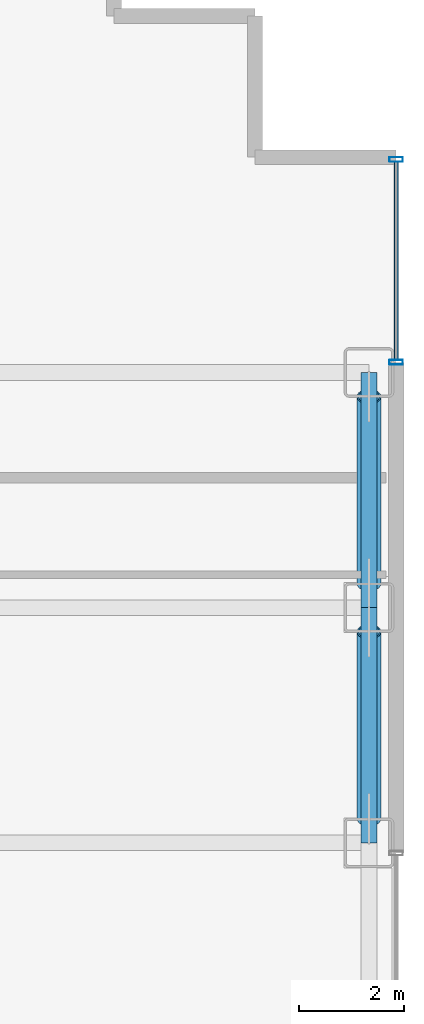
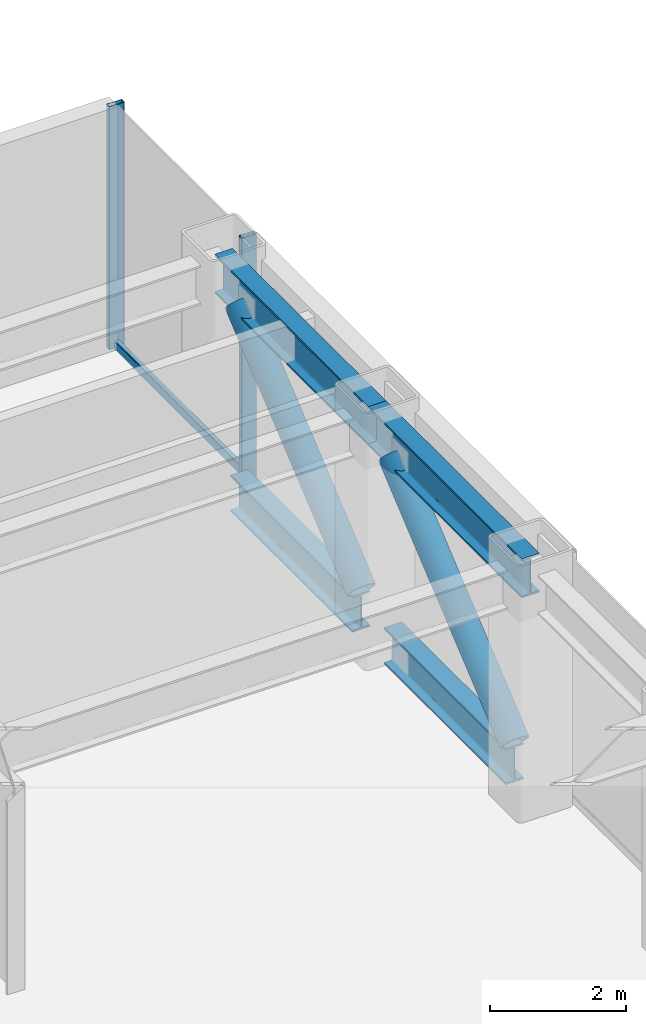
# One storey, part 20 of 30: 7 members, 2 beams, 1 element without a shape of its own.
"""IFC4 building model written with IfcOpenShell, lengths in metres."""

import ifcopenshell
import ifcopenshell.guid

model = None  # the IFC model being written
_history = None  # IfcOwnerHistory: only IFC2X3 demands one
_inside = {}  # id of a spatial element -> (the spatial element, [elements in it])
_under = {}  # id of a project, library or spatial element -> (it, [spatial elements below it])
_declared = {}  # id of a project -> (the project, [libraries it declares])
_typed = {}  # id of a type object -> (the type object, [elements of that type])
_made_of = {}  # id of a material, layer set ... -> (it, [elements and type objects made of it])


def new_model(schema):
    """Start an empty IFC model of exactly this schema.

    Asked for "IFC4X3", IfcOpenShell would pick the latest addendum, in which some entities
    have other attributes; the version numbers below select the first issue.
    IFC2X3 requires an IfcOwnerHistory on every rooted entity: one is made here for all.
    """
    global model, _history
    if schema == "IFC4X3":
        model = ifcopenshell.file(schema_version=(4, 3, 0, 0))
    else:
        model = ifcopenshell.file(schema=schema)
    _inside.clear()
    _under.clear()
    _declared.clear()
    _typed.clear()
    _made_of.clear()
    _history = None
    if model.schema == "IFC2X3":
        org = make("IfcOrganization", Name="unknown")
        user = make(
            "IfcPersonAndOrganization",
            ThePerson=make("IfcPerson", FamilyName="unknown"),
            TheOrganization=org,
        )
        app = make(
            "IfcApplication",
            ApplicationDeveloper=org,
            Version="unknown",
            ApplicationFullName="unknown",
            ApplicationIdentifier="unknown",
        )
        _history = make(
            "IfcOwnerHistory",
            OwningUser=user,
            OwningApplication=app,
            ChangeAction="ADDED",
            CreationDate=0,
        )
    return model


def make(cls, **values):
    """One entity of the class cls with the attributes given. An attribute that is None is left unset."""
    return model.create_entity(
        cls, **{name: value for name, value in values.items() if value is not None}
    )


def rooted(cls, **values):
    """An entity with a GlobalId (a new one), such as an element, a storey or a relation."""
    return make(cls, GlobalId=ifcopenshell.guid.new(), OwnerHistory=_history, **values)


def si_unit(unit_type, name, prefix=None):
    """IfcSIUnit, for example si_unit("LENGTHUNIT", "METRE", prefix="MILLI")."""
    return make("IfcSIUnit", UnitType=unit_type, Prefix=prefix, Name=name)


def assignment(units):
    """IfcUnitAssignment: the units of a project."""
    return None if units is None else make("IfcUnitAssignment", Units=units)


def point(xyz):
    """IfcCartesianPoint."""
    return None if xyz is None else make("IfcCartesianPoint", Coordinates=xyz)


def direction(xyz):
    """IfcDirection."""
    return None if xyz is None else make("IfcDirection", DirectionRatios=xyz)


def frame(location, z_axis=None, x_axis=None):
    """IfcAxis2Placement3D, a coordinate frame: its origin and axes. An axis left out is left unset."""
    return make(
        "IfcAxis2Placement3D",
        Location=point(location),
        Axis=direction(z_axis),
        RefDirection=direction(x_axis),
    )


def frame_2d(location, x_axis=None):
    """IfcAxis2Placement2D, a coordinate frame in the plane: its origin and x axis."""
    return make(
        "IfcAxis2Placement2D", Location=point(location), RefDirection=direction(x_axis)
    )


def origin():
    """The frame at (0, 0, 0) with its axes left unset."""
    return frame((0.0, 0.0, 0.0))


def origin_2d():
    """The frame at (0, 0) in the plane with its x axis left unset."""
    return frame_2d((0.0, 0.0))


def place(relative_to, where):
    """IfcLocalPlacement: puts the frame where relative to a parent placement (None: the world)."""
    return make(
        "IfcLocalPlacement", PlacementRelTo=relative_to, RelativePlacement=where
    )


def context(
    kind, dimensions, precision=None, world=None, true_north=None, identifier=None
):
    """IfcGeometricRepresentationContext, for example the 3D "Model" context."""
    return make(
        "IfcGeometricRepresentationContext",
        ContextIdentifier=identifier,
        ContextType=kind,
        CoordinateSpaceDimension=dimensions,
        Precision=precision,
        WorldCoordinateSystem=world,
        TrueNorth=true_north,
    )


def subcontext(parent, identifier, kind, view, scale=None):
    """IfcGeometricRepresentationSubContext, for example "Body" below "Model"."""
    return make(
        "IfcGeometricRepresentationSubContext",
        ContextIdentifier=identifier,
        ContextType=kind,
        ParentContext=parent,
        TargetScale=scale,
        TargetView=view,
    )


def project(units=None, contexts=None):
    """IfcProject with its units and contexts."""
    return rooted(
        "IfcProject",
        Name="project",
        RepresentationContexts=contexts,
        UnitsInContext=assignment(units),
    )


def spatial(cls, under=None, at=None, **own):
    """A site, building, storey or space (cls), placed at a placement, below another one or the project."""
    s = rooted(cls, ObjectPlacement=at, **own)
    if under is not None:
        _under.setdefault(under.id(), (under, []))[1].append(s)
    return s


def profile(cls, at=None, kind="AREA", **sizes):
    """A parametric profile (cls). Its sizes go by their IFC names, for example OverallWidth=200.0."""
    return make(cls, ProfileType=kind, Position=at, **sizes)


def hollow_rectangle(**sizes):
    """IfcRectangleHollowProfileDef."""
    return profile("IfcRectangleHollowProfileDef", **sizes)


def hollow_circle(**sizes):
    """IfcCircleHollowProfileDef."""
    return profile("IfcCircleHollowProfileDef", **sizes)


def i_section(**sizes):
    """IfcIShapeProfileDef."""
    return profile("IfcIShapeProfileDef", **sizes)


def extrude(swept, where, along, depth):
    """IfcExtrudedAreaSolid: the profile swept, set in the frame where, extruded along a direction by depth."""
    return make(
        "IfcExtrudedAreaSolid",
        SweptArea=swept,
        Position=where,
        ExtrudedDirection=direction(along),
        Depth=depth,
    )


def shape(context_of_items, identifier, shape_type, items):
    """IfcShapeRepresentation: the items that make up one representation, for example the "Body"."""
    return make(
        "IfcShapeRepresentation",
        ContextOfItems=context_of_items,
        RepresentationIdentifier=identifier,
        RepresentationType=shape_type,
        Items=items,
    )


def source(mapping_origin, context_of_items, identifier, shape_type, items):
    """IfcRepresentationMap: a shape defined once, which mapped items show again and again."""
    return make(
        "IfcRepresentationMap",
        MappingOrigin=mapping_origin,
        MappedRepresentation=shape(context_of_items, identifier, shape_type, items),
    )


def transform(
    local_origin,
    x_axis=None,
    y_axis=None,
    z_axis=None,
    scale=None,
    scale2=None,
    scale3=None,
    uniform=True,
):
    """IfcCartesianTransformationOperator3D, or its non-uniform kind. x_axis, y_axis, z_axis: its Axis1, 2, 3."""
    if uniform:
        return make(
            "IfcCartesianTransformationOperator3D",
            Axis1=direction(x_axis),
            Axis2=direction(y_axis),
            LocalOrigin=point(local_origin),
            Scale=scale,
            Axis3=direction(z_axis),
        )
    return make(
        "IfcCartesianTransformationOperator3DnonUniform",
        Axis1=direction(x_axis),
        Axis2=direction(y_axis),
        LocalOrigin=point(local_origin),
        Scale=scale,
        Axis3=direction(z_axis),
        Scale2=scale2,
        Scale3=scale3,
    )


def mapped(mapping_source, mapping_target):
    """IfcMappedItem: shows the shape of a source again, moved by a transform."""
    return make(
        "IfcMappedItem", MappingSource=mapping_source, MappingTarget=mapping_target
    )


def material(Name=None, Category=None):
    """IfcMaterial."""
    return make("IfcMaterial", Name=Name, Category=Category)


def layer(
    of_material, thickness, ventilated=None, Name=None, Category=None, Priority=None
):
    """IfcMaterialLayer: one layer of a wall or slab, of a material (None: an air gap)."""
    return make(
        "IfcMaterialLayer",
        Material=of_material,
        LayerThickness=thickness,
        IsVentilated=ventilated,
        Name=Name,
        Category=Category,
        Priority=Priority,
    )


def layer_set(layers, Name=None):
    """IfcMaterialLayerSet."""
    return make("IfcMaterialLayerSet", MaterialLayers=layers, LayerSetName=Name)


def material_profile(
    of_material, cross_section, Name=None, Category=None, Priority=None
):
    """IfcMaterialProfile: a cross section and its material."""
    return make(
        "IfcMaterialProfile",
        Name=Name,
        Material=of_material,
        Profile=cross_section,
        Priority=Priority,
        Category=Category,
    )


def profile_set(profiles, Name=None, composite=None):
    """IfcMaterialProfileSet."""
    return make(
        "IfcMaterialProfileSet",
        Name=Name,
        MaterialProfiles=profiles,
        CompositeProfile=composite,
    )


def made_of(thing, what):
    """Note that an element or type object is made of a material, layer set ...; save() writes the relation."""
    if what is not None:
        _made_of.setdefault(what.id(), (what, []))[1].append(thing)
    return thing


def type_object(cls, material=None, **own):
    """A type object (cls), such as IfcWallType, which elements share."""
    return made_of(rooted(cls, **own), material)


def element(
    cls,
    number,
    at=None,
    inside=None,
    cuts=None,
    type_object=None,
    material=None,
    context=None,
    identifier="Body",
    shape_type=None,
    held_by="IfcProductDefinitionShape",
    body=None,
    shapes=None,
    **own,
):
    """One element of the class cls, such as IfcWall. Its Tag is "e" and its number.

    at: its placement. inside: the storey or other place that contains it. cuts: it is an
    opening in that element (IfcRelVoidsElement). A single representation is given by context,
    identifier, shape_type and body (its items); several are given by shapes. held_by: the class
    of the entity that holds the representations. save() writes the other relations.
    """
    e = rooted(cls, Tag="e%d" % number, ObjectPlacement=at, **own)
    if body is not None:
        shapes = [shape(context, identifier, shape_type, body)]
    if shapes is not None:
        e.Representation = make(held_by, Representations=shapes)
    if inside is not None:
        _inside.setdefault(inside.id(), (inside, []))[1].append(e)
    if cuts is not None:
        rooted(
            "IfcRelVoidsElement", RelatingBuildingElement=cuts, RelatedOpeningElement=e
        )
    if type_object is not None:
        _typed.setdefault(type_object.id(), (type_object, []))[1].append(e)
    return made_of(e, material)


def aggregate(whole, parts):
    """IfcRelAggregates: a whole, such as a stair, and the parts it consists of."""
    return rooted("IfcRelAggregates", RelatingObject=whole, RelatedObjects=parts)


def save(model, path):
    """Write the relations noted so far, then the file.

    IfcRelAggregates (storeys below a building ...), IfcRelContainedInSpatialStructure (elements
    in a storey), IfcRelDefinesByType, IfcRelAssociatesMaterial and IfcRelDeclares: one each for
    every whole, place, type object, material and project.
    """
    for whole, parts in _under.values():
        aggregate(whole, parts)
    for where, things in _inside.values():
        rooted(
            "IfcRelContainedInSpatialStructure",
            RelatedElements=things,
            RelatingStructure=where,
        )
    for kind, things in _typed.values():
        rooted("IfcRelDefinesByType", RelatedObjects=things, RelatingType=kind)
    for what, things in _made_of.values():
        rooted("IfcRelAssociatesMaterial", RelatedObjects=things, RelatingMaterial=what)
    for by, libraries in _declared.values():
        rooted("IfcRelDeclares", RelatingContext=by, RelatedDefinitions=libraries)
    model.write(path)


model = new_model("IFC4")

# Units and contexts
model_context = context("Model", 3, precision=1e-05, world=origin(), true_north=direction((0.0, 1.0)))
body_context = subcontext(model_context, "Body", "Model", "MODEL_VIEW")
ifc_project = project(units=[si_unit("LENGTHUNIT", "METRE"), si_unit("AREAUNIT", "SQUARE_METRE"), si_unit("VOLUMEUNIT", "CUBIC_METRE"), si_unit("PLANEANGLEUNIT", "RADIAN"), si_unit("MASSUNIT", "GRAM", prefix="KILO")], contexts=[model_context])

# Site, building, storey
site_placement = place(None, origin())
site = spatial("IfcSite", under=ifc_project, at=site_placement, CompositionType="ELEMENT")
building_placement = place(site_placement, origin())
building = spatial("IfcBuilding", under=site, at=building_placement, Name="Nefas-Gora Pilgrimage Tower", CompositionType="ELEMENT")
storey_placement = place(building_placement, frame((0.0, 0.0, 86.199951171875)))
storey = spatial("IfcBuildingStorey", under=building, at=storey_placement, Name="L20", CompositionType="ELEMENT", Elevation=86.199951171875)

# Beams
ifc_material_1 = material(Name="Steel S355", Category="steel")
ifc_material_profile_1 = material_profile(ifc_material_1, i_section(OverallWidth=0.300048828125, OverallDepth=0.699951171875, WebThickness=0.01708984375, FlangeThickness=0.031982421875, FilletRadius=0.027099609375, at=origin_2d()), Name="HEB 700")
ifc_profile_set_1 = profile_set([ifc_material_profile_1], Name="Steel S355")
beam_type = type_object("IfcBeamType", Name="BM-SPN-HEB600", PredefinedType="SPANDREL", material=ifc_profile_set_1)
shared_shape_1 = source(origin(), body_context, "Body", "SweptSolid", [
    extrude(i_section(OverallWidth=0.300048828125, OverallDepth=0.699951171875, WebThickness=0.01708984375, FlangeThickness=0.031982421875, FilletRadius=0.027099609375, at=origin_2d()), origin(), (0.0, 0.0, 1.0), 4.5),
])
for number, where, z_axis, x_axis, name in (
    (1, (33.75, 4.5, 4.0), (0.0, 1.0, 0.0), (-1.0, 0.0, 0.0), "L20 SP-01 beam"),
    (2, (33.75, 9.0, 4.0), (0.0, 1.0, 0.0), (-1.0, 0.0, 0.0), "L20 SP-01 beam"),
):
    element("IfcBeam", number, at=place(storey_placement, frame(where, z_axis=z_axis, x_axis=x_axis)), inside=storey, type_object=beam_type, Name=name, PredefinedType="SPANDREL", context=body_context, shape_type="MappedRepresentation", body=[
        mapped(shared_shape_1, transform((0.0, 0.0, 0.0), x_axis=(1.0, 0.0, 0.0), y_axis=(0.0, 1.0, 0.0), z_axis=(0.0, 0.0, 1.0), scale=1.0)),
    ])

# Members
ifc_material_2 = material(Name="Steel S460", Category="steel")
ifc_material_profile_2 = material_profile(ifc_material_2, hollow_circle(Radius=0.228515625, WallThickness=0.028076171875, at=origin_2d()), Name="CHS 457x28")
ifc_profile_set_2 = profile_set([ifc_material_profile_2], Name="Steel S460")
member_type_1 = type_object("IfcMemberType", Name="MEM-BELT-457", PredefinedType="BRACE", material=ifc_profile_set_2)
shared_shape_2 = source(origin(), body_context, "Body", "SweptSolid", [
    extrude(hollow_circle(Radius=0.228515625, WallThickness=0.028076171875, at=origin_2d()), origin(), (0.0, 0.0, 1.0), 4.652587890625),
])
for number, where, z_axis, x_axis, name in (
    (3, (33.75, 4.962890625, 0.73583984375), (0.0, 0.768221279597, 0.640184399664), (-1.0, 0.0, 0.0), "L20 Perimeter Belt-Truss Diagonal 7"),
    (4, (33.75, 9.462890625, 0.73583984375), (0.0, 0.768221279597, 0.640184399664), (-1.0, 0.0, 0.0), "L20 Perimeter Belt-Truss Diagonal 8"),
):
    element("IfcMember", number, at=place(storey_placement, frame(where, z_axis=z_axis, x_axis=x_axis)), inside=storey, type_object=member_type_1, Name=name, PredefinedType="BRACE", context=body_context, shape_type="MappedRepresentation", body=[
        mapped(shared_shape_2, transform((0.0, 0.0, 0.0), x_axis=(1.0, 0.0, 0.0), y_axis=(0.0, 1.0, 0.0), z_axis=(0.0, 0.0, 1.0), scale=1.0)),
    ])
ifc_material_profile_3 = material_profile(ifc_material_2, i_section(OverallWidth=0.300048828125, OverallDepth=0.64990234375, WebThickness=0.01611328125, FlangeThickness=0.031005859375, FilletRadius=0.027099609375, at=origin_2d()), Name="HEB 650")
ifc_profile_set_3 = profile_set([ifc_material_profile_3], Name="Steel S460")
member_type_2 = type_object("IfcMemberType", Name="MEM-BELT-CHORD", PredefinedType="CHORD", material=ifc_profile_set_3)
shared_shape_3 = source(origin(), body_context, "Body", "SweptSolid", [
    extrude(i_section(OverallWidth=0.300048828125, OverallDepth=0.64990234375, WebThickness=0.01611328125, FlangeThickness=0.031005859375, FilletRadius=0.027099609375, at=origin_2d()), origin(), (0.0, 0.0, 1.0), 3.57421875),
])
for number, where, z_axis, x_axis, name in (
    (5, (33.75, 4.962890625, 0.35009765625), (0.0, 1.0, 0.0), (-1.0, 0.0, 0.0), "L20 Perimeter Belt-Truss Bottom Chord 7"),
    (6, (33.75, 9.462890625, 0.35009765625), (0.0, 1.0, 0.0), (-1.0, 0.0, 0.0), "L20 Perimeter Belt-Truss Bottom Chord 8"),
):
    element("IfcMember", number, at=place(storey_placement, frame(where, z_axis=z_axis, x_axis=x_axis)), inside=storey, type_object=member_type_2, Name=name, PredefinedType="CHORD", context=body_context, shape_type="MappedRepresentation", body=[
        mapped(shared_shape_3, transform((0.0, 0.0, 0.0), x_axis=(1.0, 0.0, 0.0), y_axis=(0.0, 1.0, 0.0), z_axis=(0.0, 0.0, 1.0), scale=1.0)),
    ])

# Curtain wall, members
ifc_material_3 = material(Name="Dark ceramic-fritted solar-control aluminium-glass curtain wall", Category="aluminium")
ifc_layer = layer(ifc_material_3, 0.219970703125)
ifc_layer_set = layer_set([ifc_layer], Name="Dark ceramic-fritted solar-control aluminium-glass curtain wall")
curtain_wall_type = type_object("IfcCurtainWallType", Name="CW-SYS-2", PredefinedType="NOTDEFINED", material=ifc_layer_set)
curtain_wall_placement = place(storey_placement, origin())
curtain_wall = element("IfcCurtainWall", 7, at=curtain_wall_placement, inside=storey, type_object=curtain_wall_type, Name="L20 Unitised Curtain Wall CW2", PredefinedType="NOTDEFINED")
ifc_material_4 = material(Name="Anodised architectural aluminium", Category="aluminium")
ifc_material_profile_4 = material_profile(ifc_material_4, hollow_rectangle(XDim=0.090087890625, YDim=0.260009765625, WallThickness=0.006103515625, InnerFilletRadius=0.006103515625, OuterFilletRadius=0.011962890625, at=origin_2d()), Name="ALU MULLION 90x260")
ifc_profile_set_4 = profile_set([ifc_material_profile_4], Name="Anodised architectural aluminium")
member_type_3 = type_object("IfcMemberType", Name="CWM-MUL-2", PredefinedType="MULLION", material=ifc_profile_set_4)
shared_shape_4 = source(origin(), body_context, "Body", "SweptSolid", [
    extrude(hollow_rectangle(XDim=0.090087890625, YDim=0.260009765625, WallThickness=0.006103515625, InnerFilletRadius=0.006103515625, OuterFilletRadius=0.011962890625, at=origin_2d()), origin(), (0.0, 0.0, 1.0), 4.35009765625),
])
member_1_placement = place(storey_placement, frame((34.27001953125, 13.695068359375, 0.0), z_axis=(0.0, 0.0, 1.0), x_axis=(0.0, 1.0, 0.0)))
member_1 = element("IfcMember", 8, at=member_1_placement, type_object=member_type_3, Name="CW2 Mullion 1", PredefinedType="MULLION", context=body_context, shape_type="MappedRepresentation", body=[
    mapped(shared_shape_4, transform((0.0, 0.0, 0.0), x_axis=(1.0, 0.0, 0.0), y_axis=(0.0, 1.0, 0.0), z_axis=(0.0, 0.0, 1.0), scale=1.0)),
])
member_2_placement = place(storey_placement, frame((34.27001953125, 17.574951171875, 0.0), z_axis=(0.0, 0.0, 1.0), x_axis=(0.0, 1.0, 0.0)))
member_2 = element("IfcMember", 9, at=member_2_placement, type_object=member_type_3, Name="CW2 Mullion 2", PredefinedType="MULLION", context=body_context, shape_type="MappedRepresentation", body=[
    mapped(shared_shape_4, transform((0.0, 0.0, 0.0), x_axis=(1.0, 0.0, 0.0), y_axis=(0.0, 1.0, 0.0), z_axis=(0.0, 0.0, 1.0), scale=1.0)),
])
ifc_material_profile_5 = material_profile(ifc_material_4, hollow_rectangle(XDim=0.080078125, YDim=0.159912109375, WallThickness=0.00439453125, InnerFilletRadius=0.00439453125, OuterFilletRadius=0.009033203125, at=origin_2d()), Name="ALU TRANSOM 80x160")
ifc_profile_set_5 = profile_set([ifc_material_profile_5], Name="Anodised architectural aluminium")
member_type_4 = type_object("IfcMemberType", Name="CWM-TRN-2", PredefinedType="USERDEFINED", material=ifc_profile_set_5)
shared_shape_5 = source(origin(), body_context, "Body", "SweptSolid", [
    extrude(hollow_rectangle(XDim=0.080078125, YDim=0.159912109375, WallThickness=0.00439453125, InnerFilletRadius=0.00439453125, OuterFilletRadius=0.009033203125, at=origin_2d()), origin(), (0.0, 0.0, 1.0), 3.7900390625),
])
member_3_placement = place(storey_placement, frame((34.27001953125, 13.739990234375, 0.050048828125), z_axis=(0.0, 1.0, 0.0), x_axis=(-1.0, 0.0, 0.0)))
member_3 = element("IfcMember", 10, at=member_3_placement, type_object=member_type_4, Name="CW2 Spandrel Transom", ObjectType="TRANSOM", PredefinedType="USERDEFINED", context=body_context, shape_type="MappedRepresentation", body=[
    mapped(shared_shape_5, transform((0.0, 0.0, 0.0), x_axis=(1.0, 0.0, 0.0), y_axis=(0.0, 1.0, 0.0), z_axis=(0.0, 0.0, 1.0), scale=1.0)),
])
aggregate(curtain_wall, [member_1, member_2, member_3])

save(model, "model.ifc")
